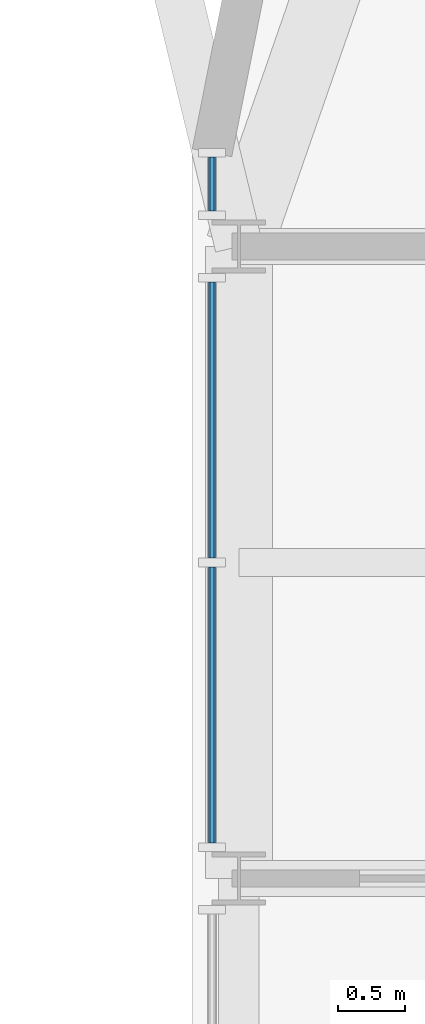
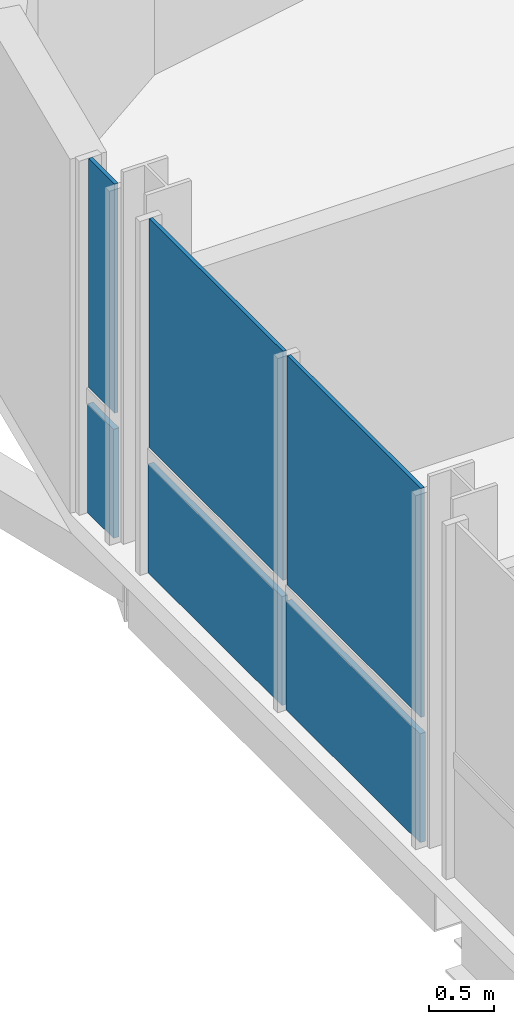
# One storey, part 8 of 16: 6 plates, 2 elements without a shape of their own.
"""IFC4 building model written with IfcOpenShell, lengths in metres."""

from ifc_helpers import new_model, si_unit, direction, frame, origin, origin_2d, place, context, subcontext, project, spatial, rectangle, extrude, material, layer, layer_set, type_object, element, aggregate, save


model = new_model("IFC4")

# Units and contexts
model_context = context("Model", 3, precision=1e-05, world=origin(), true_north=direction((0.0, 1.0)))
body_context = subcontext(model_context, "Body", "Model", "MODEL_VIEW")
ifc_project = project(units=[si_unit("LENGTHUNIT", "METRE"), si_unit("AREAUNIT", "SQUARE_METRE"), si_unit("VOLUMEUNIT", "CUBIC_METRE"), si_unit("PLANEANGLEUNIT", "RADIAN"), si_unit("MASSUNIT", "GRAM", prefix="KILO")], contexts=[model_context])

# Site, building, storey
site_placement = place(None, origin())
site = spatial("IfcSite", under=ifc_project, at=site_placement, CompositionType="ELEMENT")
building_placement = place(site_placement, origin())
building = spatial("IfcBuilding", under=site, at=building_placement, Name="Turquesa Mirador Hotel Tower", CompositionType="ELEMENT")
storey_placement = place(building_placement, frame((0.0, 0.0, 230.199951171875)))
storey = spatial("IfcBuildingStorey", under=building, at=storey_placement, Name="L62", CompositionType="ELEMENT", Elevation=230.199951171875)

# Curtain wall, plate
ifc_material_1 = material(Name="Aluminium extrusion", Category="aluminium")
curtain_wall_type = type_object("IfcCurtainWallType", Name="CW-4 SUITE FRITTED CURTAIN WALL", PredefinedType="USERDEFINED", material=ifc_material_1)
curtain_wall_1_placement = place(storey_placement, origin())
curtain_wall_1 = element("IfcCurtainWall", 1, at=curtain_wall_1_placement, inside=storey, type_object=curtain_wall_type, Name="CW-4 SUITE FRITTED CURTAIN WALL L62", ObjectType="CURTAIN WALL", PredefinedType="USERDEFINED")
ifc_material_2 = material(Name="Ceramic-printed spandrel glass on an insulated back pan", Category="glass")
ifc_layer_1 = layer(ifc_material_2, 0.050048828125)
ifc_layer_set_1 = layer_set([ifc_layer_1], Name="CW PANEL SPANDREL CERAMIC")
plate_type_1 = type_object("IfcPlateType", Name="CW PANEL SPANDREL CERAMIC", PredefinedType="CURTAIN_PANEL", material=ifc_layer_set_1)
plate_1_placement = place(storey_placement, frame((37.14990234375, 57.266845703125, 0.0), z_axis=(0.0, 0.0, 1.0), x_axis=(0.0, -1.0, 0.0)))
plate_1 = element("IfcPlate", 2, at=plate_1_placement, type_object=plate_type_1, Name="Panel", PredefinedType="CURTAIN_PANEL", context=body_context, shape_type="SweptSolid", body=[
    extrude(rectangle(XDim=0.401123046875, YDim=0.050048828125, at=origin_2d()), origin(), (0.0, 0.0, 1.0), 1.02490234375),
])

# Curtain wall, plates
curtain_wall_2_placement = place(storey_placement, origin())
curtain_wall_2 = element("IfcCurtainWall", 3, at=curtain_wall_2_placement, inside=storey, type_object=curtain_wall_type, Name="CW-4 SUITE FRITTED CURTAIN WALL L62", ObjectType="CURTAIN WALL", PredefinedType="USERDEFINED")
plate_2_placement = place(storey_placement, frame((37.14990234375, 55.503173828125, 0.0), z_axis=(0.0, 0.0, 1.0), x_axis=(0.0, -1.0, 0.0)))
plate_2 = element("IfcPlate", 4, at=plate_2_placement, type_object=plate_type_1, Name="Panel", PredefinedType="CURTAIN_PANEL", context=body_context, shape_type="SweptSolid", body=[
    extrude(rectangle(XDim=2.06103515625, YDim=0.050048828125, at=origin_2d()), origin(), (0.0, 0.0, 1.0), 1.02490234375),
])
plate_3_placement = place(storey_placement, frame((37.14990234375, 53.376953125, 0.0), z_axis=(0.0, 0.0, 1.0), x_axis=(0.0, -1.0, 0.0)))
plate_3 = element("IfcPlate", 5, at=plate_3_placement, type_object=plate_type_1, Name="Panel", PredefinedType="CURTAIN_PANEL", context=body_context, shape_type="SweptSolid", body=[
    extrude(rectangle(XDim=2.06103515625, YDim=0.050048828125, at=origin_2d()), origin(), (0.0, 0.0, 1.0), 1.02490234375),
])

# Plate
ifc_material_3 = material(Name="Ceramic-fritted laminated glass", Category="glass")
ifc_layer_2 = layer(ifc_material_3, 0.031982421875)
ifc_layer_set_2 = layer_set([ifc_layer_2], Name="CW PANEL VISION FRITTED")
plate_type_2 = type_object("IfcPlateType", Name="CW PANEL VISION FRITTED", PredefinedType="CURTAIN_PANEL", material=ifc_layer_set_2)
plate_4_placement = place(storey_placement, frame((37.14990234375, 57.266845703125, 1.1748046875), z_axis=(0.0, 0.0, 1.0), x_axis=(0.0, -1.0, 0.0)))
plate_4 = element("IfcPlate", 6, at=plate_4_placement, type_object=plate_type_2, Name="Panel", PredefinedType="CURTAIN_PANEL", context=body_context, shape_type="SweptSolid", body=[
    extrude(rectangle(XDim=0.401123046875, YDim=0.031982421875, at=origin_2d()), origin(), (0.0, 0.0, 1.0), 2.155029296875),
])

aggregate(curtain_wall_1, [plate_1, plate_4])

plate_5_placement = place(storey_placement, frame((37.14990234375, 55.503173828125, 1.1748046875), z_axis=(0.0, 0.0, 1.0), x_axis=(0.0, -1.0, 0.0)))
plate_5 = element("IfcPlate", 7, at=plate_5_placement, type_object=plate_type_2, Name="Panel", PredefinedType="CURTAIN_PANEL", context=body_context, shape_type="SweptSolid", body=[
    extrude(rectangle(XDim=2.06103515625, YDim=0.031982421875, at=origin_2d()), origin(), (0.0, 0.0, 1.0), 2.155029296875),
])

plate_6_placement = place(storey_placement, frame((37.14990234375, 53.376953125, 1.1748046875), z_axis=(0.0, 0.0, 1.0), x_axis=(0.0, -1.0, 0.0)))
plate_6 = element("IfcPlate", 8, at=plate_6_placement, type_object=plate_type_2, Name="Panel", PredefinedType="CURTAIN_PANEL", context=body_context, shape_type="SweptSolid", body=[
    extrude(rectangle(XDim=2.06103515625, YDim=0.031982421875, at=origin_2d()), origin(), (0.0, 0.0, 1.0), 2.155029296875),
])

aggregate(curtain_wall_2, [plate_2, plate_5, plate_3, plate_6])

save(model, "model.ifc")
